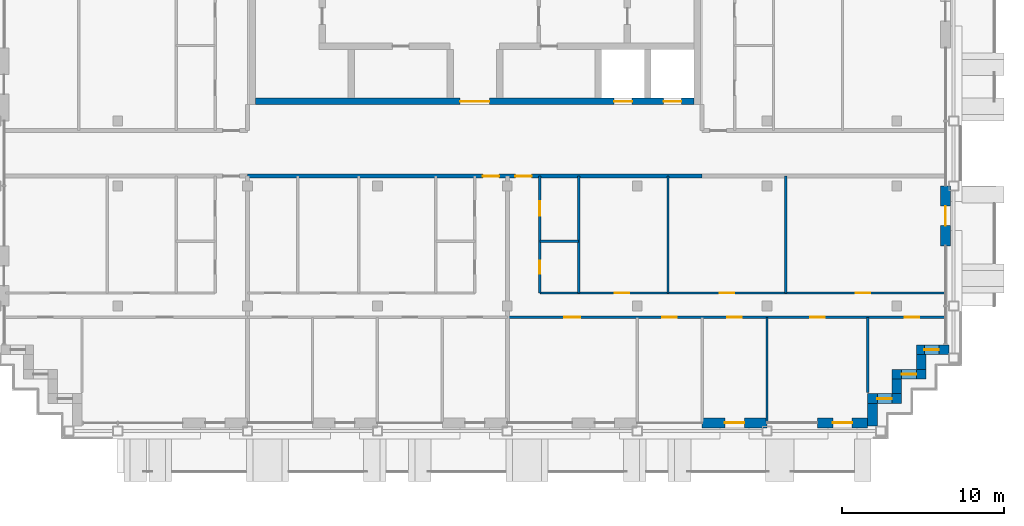
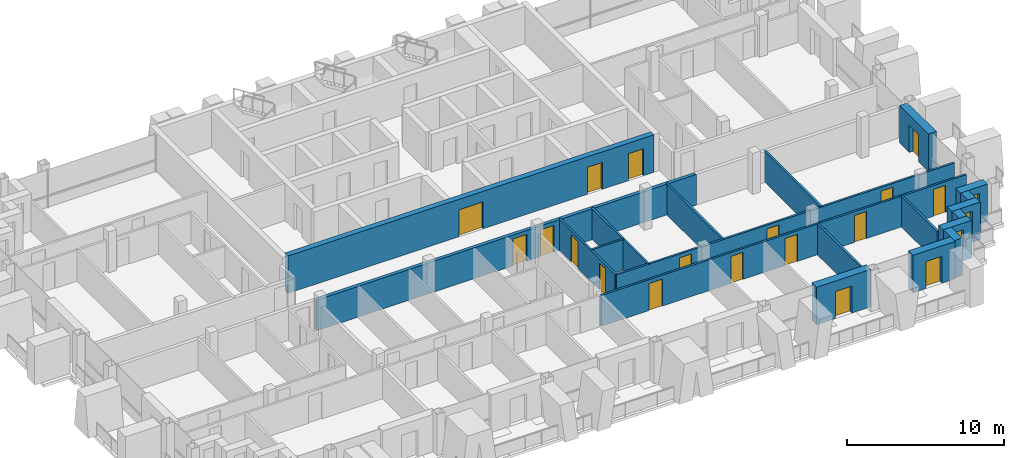
# One storey, part 9 of 15: 20 walls, 18 doors, 3 windows, 21 openings.
"""IFC4 building model written with IfcOpenShell, lengths in metres."""

from ifc_helpers import new_model, si_unit, direction, frame, frame_2d, origin, place, context, subcontext, project, spatial, rectangle, extrude, material, layer, layer_set, type_object, element, fill, save


model = new_model("IFC4")

# Units and contexts
model_context = context("Model", 3, precision=1e-05, world=origin(), true_north=direction((0.0, 1.0)))
body_context = subcontext(model_context, "Body", "Model", "MODEL_VIEW")
ifc_project = project(units=[si_unit("LENGTHUNIT", "METRE"), si_unit("AREAUNIT", "SQUARE_METRE"), si_unit("VOLUMEUNIT", "CUBIC_METRE"), si_unit("PLANEANGLEUNIT", "RADIAN"), si_unit("MASSUNIT", "GRAM", prefix="KILO")], contexts=[model_context])

# Site, building, storey
site_placement = place(None, origin())
site = spatial("IfcSite", under=ifc_project, at=site_placement, CompositionType="ELEMENT")
building_placement = place(site_placement, origin())
building = spatial("IfcBuilding", under=site, at=building_placement, Name="Vidyagriha Tower", CompositionType="ELEMENT")
storey_placement = place(building_placement, frame((0.0, 0.0, 233.199951171875)))
storey = spatial("IfcBuildingStorey", under=building, at=storey_placement, Name="L61", CompositionType="ELEMENT", Elevation=233.199951171875)

# Wall, opening, door
ifc_material_1 = material(Name="Precast concrete C40/50 with brick facing", Category="concrete")
ifc_layer_1 = layer(ifc_material_1, 0.60009765625)
ifc_layer_set_1 = layer_set([ifc_layer_1], Name="Precast concrete C40/50 with brick facing")
wall_type_1 = type_object("IfcWallType", Name="Brick-faced precast wall 600", PredefinedType="STANDARD", material=ifc_layer_set_1)
wall_1_placement = place(storey_placement, frame((14.0, -16.60009765625, 0.0)))
wall_1 = element("IfcWall", 1, at=wall_1_placement, inside=storey, type_object=wall_type_1, Name="Brick door bay wall L61 R23.11", PredefinedType="STANDARD", context=body_context, shape_type="SweptSolid", body=[
    extrude(rectangle(XDim=4.0, YDim=0.60009765625, at=frame_2d((2.0, 0.0))), origin(), (0.0, 0.0, 1.0), 2.920166015625),
])
opening_1_placement = place(wall_1_placement, frame((1.39990234375, 0.0, 0.0)))
opening_1 = element("IfcOpeningElement", 2, at=opening_1_placement, cuts=wall_1, Name="Opening D61-63", PredefinedType="OPENING", context=body_context, shape_type="SweptSolid", body=[
    extrude(rectangle(XDim=1.199951171875, YDim=2.10009765625, at=frame_2d((0.60009765625, 1.050048828125))), frame((0.0, 0.31005859375, 0.0), z_axis=(0.0, -1.0, 0.0), x_axis=(1.0, 0.0, 0.0)), (0.0, 0.0, 1.0), 0.6201171875),
])
ifc_material_2 = material(Name="Aluminium framed glazed sliding door", Category="aluminium")
door_type_1 = type_object("IfcDoorType", Name="Balcony sliding door 1200x2100", OperationType="NOTDEFINED", PredefinedType="DOOR", material=ifc_material_2)
door_1_placement = place(opening_1_placement, origin())
door_1 = element("IfcDoor", 3, at=door_1_placement, inside=storey, type_object=door_type_1, Name="Door D61-63", OperationType="SLIDING_TO_LEFT", OverallHeight=2.10009765625, OverallWidth=1.199951171875, PredefinedType="DOOR", context=body_context, shape_type="SweptSolid", body=[
    extrude(rectangle(XDim=1.199951171875, YDim=2.10009765625, at=frame_2d((0.60009765625, 1.050048828125))), frame((0.0, 0.02490234375, 0.0), z_axis=(0.0, -1.0, 0.0), x_axis=(1.0, 0.0, 0.0)), (0.0, 0.0, 1.0), 0.050048828125),
])
fill(opening_1, door_1)

wall_2_placement = place(storey_placement, frame((21.10009765625, -16.60009765625, 0.0)))
wall_2 = element("IfcWall", 4, at=wall_2_placement, inside=storey, type_object=wall_type_1, Name="Brick door bay wall L61 R23.13", PredefinedType="STANDARD", context=body_context, shape_type="SweptSolid", body=[
    extrude(rectangle(XDim=3.099853515625, YDim=0.60009765625, at=frame_2d((1.5498046875, 0.0))), origin(), (0.0, 0.0, 1.0), 2.920166015625),
])
opening_2_placement = place(wall_2_placement, frame((0.949951171875, 0.0, 0.0)))
opening_2 = element("IfcOpeningElement", 5, at=opening_2_placement, cuts=wall_2, Name="Opening D61-64", PredefinedType="OPENING", context=body_context, shape_type="SweptSolid", body=[
    extrude(rectangle(XDim=1.199951171875, YDim=2.10009765625, at=frame_2d((0.60009765625, 1.050048828125))), frame((0.0, 0.31005859375, 0.0), z_axis=(0.0, -1.0, 0.0), x_axis=(1.0, 0.0, 0.0)), (0.0, 0.0, 1.0), 0.6201171875),
])
door_2_placement = place(opening_2_placement, origin())
door_2 = element("IfcDoor", 6, at=door_2_placement, inside=storey, type_object=door_type_1, Name="Door D61-64", OperationType="SLIDING_TO_LEFT", OverallHeight=2.10009765625, OverallWidth=1.199951171875, PredefinedType="DOOR", context=body_context, shape_type="SweptSolid", body=[
    extrude(rectangle(XDim=1.199951171875, YDim=2.10009765625, at=frame_2d((0.60009765625, 1.050048828125))), frame((0.0, 0.02490234375, 0.0), z_axis=(0.0, -1.0, 0.0), x_axis=(1.0, 0.0, 0.0)), (0.0, 0.0, 1.0), 0.050048828125),
])
fill(opening_2, door_2)

# Wall
wall_3_placement = place(storey_placement, frame((24.5, -16.800048828125, 0.0), z_axis=(0.0, 0.0, 1.0), x_axis=(0.0, 1.0, 0.0)))
element("IfcWall", 7, at=wall_3_placement, inside=storey, type_object=wall_type_1, Name="Stepped corner wall L61 R24", PredefinedType="STANDARD", context=body_context, shape_type="SweptSolid", body=[
    extrude(rectangle(XDim=1.400146484375, YDim=0.60009765625, at=frame_2d((0.7001953125, 0.0))), origin(), (0.0, 0.0, 1.0), 2.920166015625),
])

# Wall, opening, window
wall_4_placement = place(storey_placement, frame((24.199951171875, -15.10009765625, 0.0)))
wall_4 = element("IfcWall", 8, at=wall_4_placement, inside=storey, type_object=wall_type_1, Name="Stepped corner wall L61 R25", PredefinedType="STANDARD", context=body_context, shape_type="SweptSolid", body=[
    extrude(rectangle(XDim=2.10009765625, YDim=0.60009765625, at=frame_2d((1.050048828125, 0.0))), origin(), (0.0, 0.0, 1.0), 2.920166015625),
])
opening_3_placement = place(wall_4_placement, frame((0.60009765625, 0.0, 0.89990234375)))
opening_3 = element("IfcOpeningElement", 9, at=opening_3_placement, cuts=wall_4, Name="Opening WN1", PredefinedType="OPENING", context=body_context, shape_type="SweptSolid", body=[
    extrude(rectangle(XDim=0.89990234375, YDim=1.5, at=frame_2d((0.449951171875, 0.75))), frame((0.0, 0.31005859375, 0.0), z_axis=(0.0, -1.0, 0.0), x_axis=(1.0, 0.0, 0.0)), (0.0, 0.0, 1.0), 0.6201171875),
])
ifc_material_3 = material(Name="Aluminium and glass window", Category="aluminium")
window_type = type_object("IfcWindowType", Name="Reveal window 900x1500", PartitioningType="NOTDEFINED", PredefinedType="WINDOW", material=ifc_material_3)
window_1_placement = place(opening_3_placement, origin())
window_1 = element("IfcWindow", 10, at=window_1_placement, inside=storey, type_object=window_type, Name="Reveal window L61 R25", OverallHeight=1.5, OverallWidth=0.89990234375, PartitioningType="SINGLE_PANEL", PredefinedType="WINDOW", context=body_context, shape_type="SweptSolid", body=[
    extrude(rectangle(XDim=0.89990234375, YDim=1.5, at=frame_2d((0.449951171875, 0.75))), frame((0.0, 0.030029296875, 0.0), z_axis=(0.0, -1.0, 0.0), x_axis=(1.0, 0.0, 0.0)), (0.0, 0.0, 1.0), 0.06005859375),
])
fill(opening_3, window_1)

# Wall
wall_5_placement = place(storey_placement, frame((26.0, -14.800048828125, 0.0), z_axis=(0.0, 0.0, 1.0), x_axis=(0.0, 1.0, 0.0)))
element("IfcWall", 11, at=wall_5_placement, inside=storey, type_object=wall_type_1, Name="Stepped corner wall L61 R26", PredefinedType="STANDARD", context=body_context, shape_type="SweptSolid", body=[
    extrude(rectangle(XDim=0.900146484375, YDim=0.60009765625, at=frame_2d((0.4501953125, 0.0))), origin(), (0.0, 0.0, 1.0), 2.920166015625),
])

# Wall, opening, window
wall_6_placement = place(storey_placement, frame((25.699951171875, -13.60009765625, 0.0)))
wall_6 = element("IfcWall", 12, at=wall_6_placement, inside=storey, type_object=wall_type_1, Name="Stepped corner wall L61 R27", PredefinedType="STANDARD", context=body_context, shape_type="SweptSolid", body=[
    extrude(rectangle(XDim=2.10009765625, YDim=0.60009765625, at=frame_2d((1.050048828125, 0.0))), origin(), (0.0, 0.0, 1.0), 2.920166015625),
])
opening_4_placement = place(wall_6_placement, frame((0.60009765625, 0.0, 0.89990234375)))
opening_4 = element("IfcOpeningElement", 13, at=opening_4_placement, cuts=wall_6, Name="Opening WN1", PredefinedType="OPENING", context=body_context, shape_type="SweptSolid", body=[
    extrude(rectangle(XDim=0.89990234375, YDim=1.5, at=frame_2d((0.449951171875, 0.75))), frame((0.0, 0.31005859375, 0.0), z_axis=(0.0, -1.0, 0.0), x_axis=(1.0, 0.0, 0.0)), (0.0, 0.0, 1.0), 0.6201171875),
])
window_2_placement = place(opening_4_placement, origin())
window_2 = element("IfcWindow", 14, at=window_2_placement, inside=storey, type_object=window_type, Name="Reveal window L61 R27", OverallHeight=1.5, OverallWidth=0.89990234375, PartitioningType="SINGLE_PANEL", PredefinedType="WINDOW", context=body_context, shape_type="SweptSolid", body=[
    extrude(rectangle(XDim=0.89990234375, YDim=1.5, at=frame_2d((0.449951171875, 0.75))), frame((0.0, 0.030029296875, 0.0), z_axis=(0.0, -1.0, 0.0), x_axis=(1.0, 0.0, 0.0)), (0.0, 0.0, 1.0), 0.06005859375),
])
fill(opening_4, window_2)

# Wall
wall_7_placement = place(storey_placement, frame((27.5, -13.300048828125, 0.0), z_axis=(0.0, 0.0, 1.0), x_axis=(0.0, 1.0, 0.0)))
element("IfcWall", 15, at=wall_7_placement, inside=storey, type_object=wall_type_1, Name="Stepped corner wall L61 R28", PredefinedType="STANDARD", context=body_context, shape_type="SweptSolid", body=[
    extrude(rectangle(XDim=0.900146484375, YDim=0.60009765625, at=frame_2d((0.4501953125, 0.0))), origin(), (0.0, 0.0, 1.0), 2.920166015625),
])

# Wall, opening, window
wall_8_placement = place(storey_placement, frame((27.199951171875, -12.10009765625, 0.0)))
wall_8 = element("IfcWall", 16, at=wall_8_placement, inside=storey, type_object=wall_type_1, Name="Stepped corner wall L61 R29", PredefinedType="STANDARD", context=body_context, shape_type="SweptSolid", body=[
    extrude(rectangle(XDim=2.0, YDim=0.60009765625, at=frame_2d((1.0, 0.0))), origin(), (0.0, 0.0, 1.0), 2.920166015625),
])
opening_5_placement = place(wall_8_placement, frame((0.489990234375, 0.0, 0.89990234375)))
opening_5 = element("IfcOpeningElement", 17, at=opening_5_placement, cuts=wall_8, Name="Opening WN1", PredefinedType="OPENING", context=body_context, shape_type="SweptSolid", body=[
    extrude(rectangle(XDim=0.89990234375, YDim=1.5, at=frame_2d((0.449951171875, 0.75))), frame((0.0, 0.31005859375, 0.0), z_axis=(0.0, -1.0, 0.0), x_axis=(1.0, 0.0, 0.0)), (0.0, 0.0, 1.0), 0.6201171875),
])
window_3_placement = place(opening_5_placement, origin())
window_3 = element("IfcWindow", 18, at=window_3_placement, inside=storey, type_object=window_type, Name="Reveal window L61 R29", OverallHeight=1.5, OverallWidth=0.89990234375, PartitioningType="SINGLE_PANEL", PredefinedType="WINDOW", context=body_context, shape_type="SweptSolid", body=[
    extrude(rectangle(XDim=0.89990234375, YDim=1.5, at=frame_2d((0.449951171875, 0.75))), frame((0.0, 0.030029296875, 0.0), z_axis=(0.0, -1.0, 0.0), x_axis=(1.0, 0.0, 0.0)), (0.0, 0.0, 1.0), 0.06005859375),
])
fill(opening_5, window_3)

# Wall, opening, door
wall_9_placement = place(storey_placement, frame((29.0, -5.699951171875, 0.0), z_axis=(0.0, 0.0, 1.0), x_axis=(0.0, 1.0, 0.0)))
wall_9 = element("IfcWall", 19, at=wall_9_placement, inside=storey, type_object=wall_type_1, Name="Brick door bay wall L61 R30.3", PredefinedType="STANDARD", context=body_context, shape_type="SweptSolid", body=[
    extrude(rectangle(XDim=3.699951171875, YDim=0.60009765625, at=frame_2d((1.85009765625, 0.0))), origin(), (0.0, 0.0, 1.0), 2.920166015625),
])
opening_6_placement = place(wall_9_placement, frame((1.25, 0.0, 0.0)))
opening_6 = element("IfcOpeningElement", 20, at=opening_6_placement, cuts=wall_9, Name="Opening D61-65", PredefinedType="OPENING", context=body_context, shape_type="SweptSolid", body=[
    extrude(rectangle(XDim=1.199951171875, YDim=2.10009765625, at=frame_2d((0.60009765625, 1.050048828125))), frame((0.0, 0.31005859375, 0.0), z_axis=(0.0, -1.0, 0.0), x_axis=(1.0, 0.0, 0.0)), (0.0, 0.0, 1.0), 0.6201171875),
])
door_3_placement = place(opening_6_placement, origin())
door_3 = element("IfcDoor", 21, at=door_3_placement, inside=storey, type_object=door_type_1, Name="Door D61-65", OperationType="SLIDING_TO_LEFT", OverallHeight=2.10009765625, OverallWidth=1.199951171875, PredefinedType="DOOR", context=body_context, shape_type="SweptSolid", body=[
    extrude(rectangle(XDim=1.199951171875, YDim=2.10009765625, at=frame_2d((0.60009765625, 1.050048828125))), frame((0.0, 0.02490234375, 0.0), z_axis=(0.0, -1.0, 0.0), x_axis=(1.0, 0.0, 0.0)), (0.0, 0.0, 1.0), 0.050048828125),
])
fill(opening_6, door_3)

# Wall, openings, doors
ifc_material_4 = material(Name="Concrete C60/75", Category="concrete")
ifc_layer_2 = layer(ifc_material_4, 0.39990234375)
ifc_layer_set_2 = layer_set([ifc_layer_2], Name="Concrete C60/75")
wall_type_2 = type_object("IfcWallType", Name="Core shear wall 400 mm", PredefinedType="SHEAR", material=ifc_layer_set_2)
wall_10_placement = place(storey_placement, frame((-13.5, 3.199951171875, 0.0)))
wall_10 = element("IfcWall", 22, at=wall_10_placement, inside=storey, type_object=wall_type_2, Name="Core front wall", PredefinedType="SHEAR", context=body_context, shape_type="SweptSolid", body=[
    extrude(rectangle(XDim=27.0, YDim=0.39990234375, at=frame_2d((13.5, 0.0))), origin(), (0.0, 0.0, 1.0), 2.920166015625),
])
opening_7_placement = place(wall_10_placement, frame((22.083251953125, 0.0, 0.0)))
opening_7 = element("IfcOpeningElement", 23, at=opening_7_placement, cuts=wall_10, Name="Opening LD61-01", PredefinedType="OPENING", context=body_context, shape_type="SweptSolid", body=[
    extrude(rectangle(XDim=1.10009765625, YDim=2.10009765625, at=frame_2d((0.550048828125, 1.050048828125))), frame((0.0, 0.2099609375, 0.0), z_axis=(0.0, -1.0, 0.0), x_axis=(1.0, 0.0, 0.0)), (0.0, 0.0, 1.0), 0.419921875),
])
opening_8_placement = place(wall_10_placement, frame((25.127685546875, 0.0, 0.0)))
opening_8 = element("IfcOpeningElement", 24, at=opening_8_placement, cuts=wall_10, Name="Opening LD61-02", PredefinedType="OPENING", context=body_context, shape_type="SweptSolid", body=[
    extrude(rectangle(XDim=1.10009765625, YDim=2.10009765625, at=frame_2d((0.550048828125, 1.050048828125))), frame((0.0, 0.2099609375, 0.0), z_axis=(0.0, -1.0, 0.0), x_axis=(1.0, 0.0, 0.0)), (0.0, 0.0, 1.0), 0.419921875),
])
opening_9_placement = place(wall_10_placement, frame((12.60009765625, 0.0, 0.0)))
opening_9 = element("IfcOpeningElement", 25, at=opening_9_placement, cuts=wall_10, Name="Opening D61-01", PredefinedType="OPENING", context=body_context, shape_type="SweptSolid", body=[
    extrude(rectangle(XDim=1.800048828125, YDim=2.10009765625, at=frame_2d((0.89990234375, 1.050048828125))), frame((0.0, 0.2099609375, 0.0), z_axis=(0.0, -1.0, 0.0), x_axis=(1.0, 0.0, 0.0)), (0.0, 0.0, 1.0), 0.419921875),
])
ifc_material_5 = material(Name="Hollow metal door leaf")
door_type_2 = type_object("IfcDoorType", Name="Core lobby double door 1800 x 2100 mm EI 60", OperationType="NOTDEFINED", PredefinedType="DOOR", material=ifc_material_5)
door_4_placement = place(opening_9_placement, frame((1.800048828125, 0.0, 0.0), z_axis=(0.0, 0.0, 1.0), x_axis=(-1.0, 0.0, 0.0)))
door_4 = element("IfcDoor", 26, at=door_4_placement, inside=storey, type_object=door_type_2, Name="Core entrance door L61", OperationType="DOUBLE_DOOR_SINGLE_SWING", OverallHeight=2.10009765625, OverallWidth=1.800048828125, PredefinedType="DOOR", context=body_context, shape_type="SweptSolid", body=[
    extrude(rectangle(XDim=1.800048828125, YDim=2.10009765625, at=frame_2d((0.89990234375, 1.050048828125))), frame((0.0, 0.02490234375, 0.0), z_axis=(0.0, -1.0, 0.0), x_axis=(1.0, 0.0, 0.0)), (0.0, 0.0, 1.0), 0.050048828125),
])
fill(opening_9, door_4)
ifc_material_6 = material(Name="Stainless steel sliding door panel", Category="steel")
door_type_3 = type_object("IfcDoorType", Name="Lift landing door 1100 x 2100 mm EI 90", OperationType="NOTDEFINED", PredefinedType="DOOR", material=ifc_material_6)
door_5_placement = place(opening_7_placement, origin())
door_5 = element("IfcDoor", 27, at=door_5_placement, inside=storey, type_object=door_type_3, Name="Landing door MR1 L61", OperationType="SLIDING_TO_LEFT", OverallHeight=2.10009765625, OverallWidth=1.10009765625, PredefinedType="DOOR", context=body_context, shape_type="SweptSolid", body=[
    extrude(rectangle(XDim=1.10009765625, YDim=2.10009765625, at=frame_2d((0.550048828125, 1.050048828125))), frame((0.0, 0.02490234375, 0.0), z_axis=(0.0, -1.0, 0.0), x_axis=(1.0, 0.0, 0.0)), (0.0, 0.0, 1.0), 0.050048828125),
])
fill(opening_7, door_5)
door_6_placement = place(opening_8_placement, origin())
door_6 = element("IfcDoor", 28, at=door_6_placement, inside=storey, type_object=door_type_3, Name="Landing door MR2 L61", OperationType="SLIDING_TO_LEFT", OverallHeight=2.10009765625, OverallWidth=1.10009765625, PredefinedType="DOOR", context=body_context, shape_type="SweptSolid", body=[
    extrude(rectangle(XDim=1.10009765625, YDim=2.10009765625, at=frame_2d((0.550048828125, 1.050048828125))), frame((0.0, 0.02490234375, 0.0), z_axis=(0.0, -1.0, 0.0), x_axis=(1.0, 0.0, 0.0)), (0.0, 0.0, 1.0), 0.050048828125),
])
fill(opening_8, door_6)

ifc_material_7 = material(Name="Fired clay brick masonry", Category="masonry")
ifc_layer_3 = layer(ifc_material_7, 0.25)
ifc_layer_set_3 = layer_set([ifc_layer_3], Name="Fired clay brick masonry")
wall_type_3 = type_object("IfcWallType", Name="Fired clay brick corridor wall 250", PredefinedType="PARTITIONING", material=ifc_layer_set_3)
wall_11_placement = place(storey_placement, frame((14.0, -1.39990234375, 0.0), z_axis=(0.0, 0.0, 1.0), x_axis=(-1.0, 0.0, 0.0)))
wall_11 = element("IfcWall", 29, at=wall_11_placement, inside=storey, type_object=wall_type_3, Name="Wall all-L61-w091", PredefinedType="PARTITIONING", context=body_context, shape_type="SweptSolid", body=[
    extrude(rectangle(XDim=28.0, YDim=0.25, at=frame_2d((14.0, 0.0))), origin(), (0.0, 0.0, 1.0), 2.400146484375),
])
opening_10_placement = place(wall_11_placement, frame((12.5, 0.0, 0.0)))
opening_10 = element("IfcOpeningElement", 30, at=opening_10_placement, cuts=wall_11, Name="Opening D61-31", PredefinedType="OPENING", context=body_context, shape_type="SweptSolid", body=[
    extrude(rectangle(XDim=1.0, YDim=2.10009765625, at=frame_2d((0.5, 1.050048828125))), frame((0.0, 0.135009765625, 0.0), z_axis=(0.0, -1.0, 0.0), x_axis=(1.0, 0.0, 0.0)), (0.0, 0.0, 1.0), 0.27001953125),
])
opening_11_placement = place(wall_11_placement, frame((10.5, 0.0, 0.0)))
opening_11 = element("IfcOpeningElement", 31, at=opening_11_placement, cuts=wall_11, Name="Opening D61-42", PredefinedType="OPENING", context=body_context, shape_type="SweptSolid", body=[
    extrude(rectangle(XDim=1.0, YDim=2.10009765625, at=frame_2d((0.5, 1.050048828125))), frame((0.0, 0.135009765625, 0.0), z_axis=(0.0, -1.0, 0.0), x_axis=(1.0, 0.0, 0.0)), (0.0, 0.0, 1.0), 0.27001953125),
])
ifc_material_8 = material(Name="Fire-rated timber door leaf EI 60", Category="wood")
door_type_4 = type_object("IfcDoorType", Name="Flat entrance fire door 1000x2100", OperationType="NOTDEFINED", PredefinedType="DOOR", material=ifc_material_8)
door_7_placement = place(opening_10_placement, origin())
door_7 = element("IfcDoor", 32, at=door_7_placement, inside=storey, type_object=door_type_4, Name="Door D61-31", OperationType="SINGLE_SWING_LEFT", OverallHeight=2.10009765625, OverallWidth=1.0, PredefinedType="DOOR", context=body_context, shape_type="SweptSolid", body=[
    extrude(rectangle(XDim=1.0, YDim=2.10009765625, at=frame_2d((0.5, 1.050048828125))), frame((0.0, 0.02490234375, 0.0), z_axis=(0.0, -1.0, 0.0), x_axis=(1.0, 0.0, 0.0)), (0.0, 0.0, 1.0), 0.050048828125),
])
fill(opening_10, door_7)
door_8_placement = place(opening_11_placement, origin())
door_8 = element("IfcDoor", 33, at=door_8_placement, inside=storey, type_object=door_type_4, Name="Door D61-42", OperationType="SINGLE_SWING_RIGHT", OverallHeight=2.10009765625, OverallWidth=1.0, PredefinedType="DOOR", context=body_context, shape_type="SweptSolid", body=[
    extrude(rectangle(XDim=1.0, YDim=2.10009765625, at=frame_2d((0.5, 1.050048828125))), frame((0.0, 0.02490234375, 0.0), z_axis=(0.0, -1.0, 0.0), x_axis=(1.0, 0.0, 0.0)), (0.0, 0.0, 1.0), 0.050048828125),
])
fill(opening_11, door_8)

# Walls
ifc_material_9 = material(Name="Gypsum board partition")
ifc_layer_4 = layer(ifc_material_9, 0.14990234375)
ifc_layer_set_4 = layer_set([ifc_layer_4], Name="Gypsum board partition")
wall_type_4 = type_object("IfcWallType", Name="Gypsum board partition 150", PredefinedType="PARTITIONING", material=ifc_layer_set_4)
wall_12_placement = place(storey_placement, frame((6.39990234375, -5.39990234375, 0.0), z_axis=(0.0, 0.0, 1.0), x_axis=(-1.0, 0.0, 0.0)))
element("IfcWall", 34, at=wall_12_placement, inside=storey, type_object=wall_type_4, Name="Wall all-L61-w039", PredefinedType="PARTITIONING", context=body_context, shape_type="SweptSolid", body=[
    extrude(rectangle(XDim=2.39990234375, YDim=0.14990234375, at=frame_2d((1.199951171875, 0.0))), origin(), (0.0, 0.0, 1.0), 2.400146484375),
])
for number, where, z_axis, x_axis, name in (
    (35, (6.39990234375, -1.39990234375, 0.0), (0.0, 0.0, 1.0), (0.0, -1.0, 0.0), "Wall all-L61-w040"),
    (36, (11.89990234375, -1.39990234375, 0.0), (0.0, 0.0, 1.0), (0.0, -1.0, 0.0), "Wall all-L61-w041"),
    (37, (19.14990234375, -1.39990234375, 0.0), (0.0, 0.0, 1.0), (0.0, -1.0, 0.0), "Wall all-L61-w042"),
):
    element("IfcWall", number, at=place(storey_placement, frame(where, z_axis=z_axis, x_axis=x_axis)), inside=storey, type_object=wall_type_4, Name=name, PredefinedType="PARTITIONING", context=body_context, shape_type="SweptSolid", body=[
        extrude(rectangle(XDim=7.2001953125, YDim=0.14990234375, at=frame_2d((3.60009765625, 0.0))), origin(), (0.0, 0.0, 1.0), 2.400146484375),
    ])

# Wall, openings, doors
wall_13_placement = place(storey_placement, frame((4.0, -8.60009765625, 0.0)))
wall_13 = element("IfcWall", 38, at=wall_13_placement, inside=storey, type_object=wall_type_4, Name="Wall all-L61-w043", PredefinedType="PARTITIONING", context=body_context, shape_type="SweptSolid", body=[
    extrude(rectangle(XDim=24.919921875, YDim=0.14990234375, at=frame_2d((12.4599609375, 0.0))), origin(), (0.0, 0.0, 1.0), 2.400146484375),
])
opening_12_placement = place(wall_13_placement, frame((4.6240234375, 0.0, 0.0)))
opening_12 = element("IfcOpeningElement", 39, at=opening_12_placement, cuts=wall_13, Name="Opening D61-34", PredefinedType="OPENING", context=body_context, shape_type="SweptSolid", body=[
    extrude(rectangle(XDim=0.89990234375, YDim=2.10009765625, at=frame_2d((0.449951171875, 1.050048828125))), frame((0.0, 0.0849609375, 0.0), z_axis=(0.0, -1.0, 0.0), x_axis=(1.0, 0.0, 0.0)), (0.0, 0.0, 1.0), 0.169921875),
])
opening_13_placement = place(wall_13_placement, frame((11.074951171875, 0.0, 0.0)))
opening_13 = element("IfcOpeningElement", 40, at=opening_13_placement, cuts=wall_13, Name="Opening D61-35", PredefinedType="OPENING", context=body_context, shape_type="SweptSolid", body=[
    extrude(rectangle(XDim=0.89990234375, YDim=2.10009765625, at=frame_2d((0.449951171875, 1.050048828125))), frame((0.0, 0.0849609375, 0.0), z_axis=(0.0, -1.0, 0.0), x_axis=(1.0, 0.0, 0.0)), (0.0, 0.0, 1.0), 0.169921875),
])
opening_14_placement = place(wall_13_placement, frame((19.47509765625, 0.0, 0.0)))
opening_14 = element("IfcOpeningElement", 41, at=opening_14_placement, cuts=wall_13, Name="Opening D61-36", PredefinedType="OPENING", context=body_context, shape_type="SweptSolid", body=[
    extrude(rectangle(XDim=0.89990234375, YDim=2.10009765625, at=frame_2d((0.449951171875, 1.050048828125))), frame((0.0, 0.0849609375, 0.0), z_axis=(0.0, -1.0, 0.0), x_axis=(1.0, 0.0, 0.0)), (0.0, 0.0, 1.0), 0.169921875),
])
ifc_material_10 = material(Name="Timber door leaf", Category="wood")
door_type_5 = type_object("IfcDoorType", Name="Room door 900x2100", OperationType="NOTDEFINED", PredefinedType="DOOR", material=ifc_material_10)
door_9_placement = place(opening_12_placement, origin())
door_9 = element("IfcDoor", 42, at=door_9_placement, inside=storey, type_object=door_type_5, Name="Door D61-34", OperationType="SINGLE_SWING_LEFT", OverallHeight=2.10009765625, OverallWidth=0.89990234375, PredefinedType="DOOR", context=body_context, shape_type="SweptSolid", body=[
    extrude(rectangle(XDim=0.89990234375, YDim=2.10009765625, at=frame_2d((0.449951171875, 1.050048828125))), frame((0.0, 0.02490234375, 0.0), z_axis=(0.0, -1.0, 0.0), x_axis=(1.0, 0.0, 0.0)), (0.0, 0.0, 1.0), 0.050048828125),
])
fill(opening_12, door_9)
door_10_placement = place(opening_13_placement, origin())
door_10 = element("IfcDoor", 43, at=door_10_placement, inside=storey, type_object=door_type_5, Name="Door D61-35", OperationType="SINGLE_SWING_RIGHT", OverallHeight=2.10009765625, OverallWidth=0.89990234375, PredefinedType="DOOR", context=body_context, shape_type="SweptSolid", body=[
    extrude(rectangle(XDim=0.89990234375, YDim=2.10009765625, at=frame_2d((0.449951171875, 1.050048828125))), frame((0.0, 0.02490234375, 0.0), z_axis=(0.0, -1.0, 0.0), x_axis=(1.0, 0.0, 0.0)), (0.0, 0.0, 1.0), 0.050048828125),
])
fill(opening_13, door_10)
door_11_placement = place(opening_14_placement, origin())
door_11 = element("IfcDoor", 44, at=door_11_placement, inside=storey, type_object=door_type_5, Name="Door D61-36", OperationType="SINGLE_SWING_RIGHT", OverallHeight=2.10009765625, OverallWidth=0.89990234375, PredefinedType="DOOR", context=body_context, shape_type="SweptSolid", body=[
    extrude(rectangle(XDim=0.89990234375, YDim=2.10009765625, at=frame_2d((0.449951171875, 1.050048828125))), frame((0.0, 0.02490234375, 0.0), z_axis=(0.0, -1.0, 0.0), x_axis=(1.0, 0.0, 0.0)), (0.0, 0.0, 1.0), 0.050048828125),
])
fill(opening_14, door_11)

wall_14_placement = place(storey_placement, frame((28.919921875, -10.10009765625, 0.0), z_axis=(0.0, 0.0, 1.0), x_axis=(-1.0, 0.0, 0.0)))
wall_14 = element("IfcWall", 45, at=wall_14_placement, inside=storey, type_object=wall_type_4, Name="Wall all-L61-w047", PredefinedType="PARTITIONING", context=body_context, shape_type="SweptSolid", body=[
    extrude(rectangle(XDim=26.919921875, YDim=0.14990234375, at=frame_2d((13.4599609375, 0.0))), origin(), (0.0, 0.0, 1.0), 2.400146484375),
])
opening_15_placement = place(wall_14_placement, frame((22.419921875, 0.0, 0.0)))
opening_15 = element("IfcOpeningElement", 46, at=opening_15_placement, cuts=wall_14, Name="Opening D61-37", PredefinedType="OPENING", context=body_context, shape_type="SweptSolid", body=[
    extrude(rectangle(XDim=1.0, YDim=2.10009765625, at=frame_2d((0.5, 1.050048828125))), frame((0.0, 0.0849609375, 0.0), z_axis=(0.0, -1.0, 0.0), x_axis=(1.0, 0.0, 0.0)), (0.0, 0.0, 1.0), 0.169921875),
])
opening_16_placement = place(wall_14_placement, frame((16.469970703125, 0.0, 0.0)))
opening_16 = element("IfcOpeningElement", 47, at=opening_16_placement, cuts=wall_14, Name="Opening D61-38", PredefinedType="OPENING", context=body_context, shape_type="SweptSolid", body=[
    extrude(rectangle(XDim=0.89990234375, YDim=2.10009765625, at=frame_2d((0.449951171875, 1.050048828125))), frame((0.0, 0.0849609375, 0.0), z_axis=(0.0, -1.0, 0.0), x_axis=(1.0, 0.0, 0.0)), (0.0, 0.0, 1.0), 0.169921875),
])
opening_17_placement = place(wall_14_placement, frame((12.469970703125, 0.0, 0.0)))
opening_17 = element("IfcOpeningElement", 48, at=opening_17_placement, cuts=wall_14, Name="Opening D61-39", PredefinedType="OPENING", context=body_context, shape_type="SweptSolid", body=[
    extrude(rectangle(XDim=0.89990234375, YDim=2.10009765625, at=frame_2d((0.449951171875, 1.050048828125))), frame((0.0, 0.0849609375, 0.0), z_axis=(0.0, -1.0, 0.0), x_axis=(1.0, 0.0, 0.0)), (0.0, 0.0, 1.0), 0.169921875),
])
opening_18_placement = place(wall_14_placement, frame((7.3701171875, 0.0, 0.0)))
opening_18 = element("IfcOpeningElement", 49, at=opening_18_placement, cuts=wall_14, Name="Opening D61-40", PredefinedType="OPENING", context=body_context, shape_type="SweptSolid", body=[
    extrude(rectangle(XDim=0.89990234375, YDim=2.10009765625, at=frame_2d((0.449951171875, 1.050048828125))), frame((0.0, 0.0849609375, 0.0), z_axis=(0.0, -1.0, 0.0), x_axis=(1.0, 0.0, 0.0)), (0.0, 0.0, 1.0), 0.169921875),
])
opening_19_placement = place(wall_14_placement, frame((1.5439453125, 0.0, 0.0)))
opening_19 = element("IfcOpeningElement", 50, at=opening_19_placement, cuts=wall_14, Name="Opening D61-41", PredefinedType="OPENING", context=body_context, shape_type="SweptSolid", body=[
    extrude(rectangle(XDim=0.89990234375, YDim=2.10009765625, at=frame_2d((0.449951171875, 1.050048828125))), frame((0.0, 0.0849609375, 0.0), z_axis=(0.0, -1.0, 0.0), x_axis=(1.0, 0.0, 0.0)), (0.0, 0.0, 1.0), 0.169921875),
])
ifc_material_11 = material(Name="Timber door leaf", Category="wood")
door_type_6 = type_object("IfcDoorType", Name="Room door 1000x2100", OperationType="NOTDEFINED", PredefinedType="DOOR", material=ifc_material_11)
door_12_placement = place(opening_15_placement, origin())
door_12 = element("IfcDoor", 51, at=door_12_placement, inside=storey, type_object=door_type_6, Name="Door D61-37", OperationType="SINGLE_SWING_RIGHT", OverallHeight=2.10009765625, OverallWidth=1.0, PredefinedType="DOOR", context=body_context, shape_type="SweptSolid", body=[
    extrude(rectangle(XDim=1.0, YDim=2.10009765625, at=frame_2d((0.5, 1.050048828125))), frame((0.0, 0.02490234375, 0.0), z_axis=(0.0, -1.0, 0.0), x_axis=(1.0, 0.0, 0.0)), (0.0, 0.0, 1.0), 0.050048828125),
])
fill(opening_15, door_12)
door_13_placement = place(opening_16_placement, origin())
door_13 = element("IfcDoor", 52, at=door_13_placement, inside=storey, type_object=door_type_5, Name="Door D61-38", OperationType="SINGLE_SWING_RIGHT", OverallHeight=2.10009765625, OverallWidth=0.89990234375, PredefinedType="DOOR", context=body_context, shape_type="SweptSolid", body=[
    extrude(rectangle(XDim=0.89990234375, YDim=2.10009765625, at=frame_2d((0.449951171875, 1.050048828125))), frame((0.0, 0.02490234375, 0.0), z_axis=(0.0, -1.0, 0.0), x_axis=(1.0, 0.0, 0.0)), (0.0, 0.0, 1.0), 0.050048828125),
])
fill(opening_16, door_13)
door_14_placement = place(opening_17_placement, origin())
door_14 = element("IfcDoor", 53, at=door_14_placement, inside=storey, type_object=door_type_5, Name="Door D61-39", OperationType="SINGLE_SWING_RIGHT", OverallHeight=2.10009765625, OverallWidth=0.89990234375, PredefinedType="DOOR", context=body_context, shape_type="SweptSolid", body=[
    extrude(rectangle(XDim=0.89990234375, YDim=2.10009765625, at=frame_2d((0.449951171875, 1.050048828125))), frame((0.0, 0.02490234375, 0.0), z_axis=(0.0, -1.0, 0.0), x_axis=(1.0, 0.0, 0.0)), (0.0, 0.0, 1.0), 0.050048828125),
])
fill(opening_17, door_14)
door_15_placement = place(opening_18_placement, origin())
door_15 = element("IfcDoor", 54, at=door_15_placement, inside=storey, type_object=door_type_5, Name="Door D61-40", OperationType="SINGLE_SWING_LEFT", OverallHeight=2.10009765625, OverallWidth=0.89990234375, PredefinedType="DOOR", context=body_context, shape_type="SweptSolid", body=[
    extrude(rectangle(XDim=0.89990234375, YDim=2.10009765625, at=frame_2d((0.449951171875, 1.050048828125))), frame((0.0, 0.02490234375, 0.0), z_axis=(0.0, -1.0, 0.0), x_axis=(1.0, 0.0, 0.0)), (0.0, 0.0, 1.0), 0.050048828125),
])
fill(opening_18, door_15)
door_16_placement = place(opening_19_placement, origin())
door_16 = element("IfcDoor", 55, at=door_16_placement, inside=storey, type_object=door_type_5, Name="Door D61-41", OperationType="SINGLE_SWING_LEFT", OverallHeight=2.10009765625, OverallWidth=0.89990234375, PredefinedType="DOOR", context=body_context, shape_type="SweptSolid", body=[
    extrude(rectangle(XDim=0.89990234375, YDim=2.10009765625, at=frame_2d((0.449951171875, 1.050048828125))), frame((0.0, 0.02490234375, 0.0), z_axis=(0.0, -1.0, 0.0), x_axis=(1.0, 0.0, 0.0)), (0.0, 0.0, 1.0), 0.050048828125),
])
fill(opening_19, door_16)

# Walls
wall_15_placement = place(storey_placement, frame((18.0, -10.10009765625, 0.0), z_axis=(0.0, 0.0, 1.0), x_axis=(0.0, -1.0, 0.0)))
element("IfcWall", 56, at=wall_15_placement, inside=storey, type_object=wall_type_4, Name="Wall all-L61-w055", PredefinedType="PARTITIONING", context=body_context, shape_type="SweptSolid", body=[
    extrude(rectangle(XDim=6.409912109375, YDim=0.14990234375, at=frame_2d((3.205078125, 0.0))), origin(), (0.0, 0.0, 1.0), 2.400146484375),
])
wall_16_placement = place(storey_placement, frame((24.199951171875, -10.10009765625, 0.0), z_axis=(0.0, 0.0, 1.0), x_axis=(0.0, -1.0, 0.0)))
element("IfcWall", 57, at=wall_16_placement, inside=storey, type_object=wall_type_4, Name="Wall all-L61-w056", PredefinedType="PARTITIONING", context=body_context, shape_type="SweptSolid", body=[
    extrude(rectangle(XDim=4.619873046875, YDim=0.14990234375, at=frame_2d((2.31005859375, 0.0))), origin(), (0.0, 0.0, 1.0), 2.400146484375),
])

# Wall, openings, doors
ifc_material_12 = material(Name="Moisture resistant gypsum board partition")
ifc_layer_5 = layer(ifc_material_12, 0.14990234375)
ifc_layer_set_5 = layer_set([ifc_layer_5], Name="Moisture resistant gypsum board partition")
wall_type_5 = type_object("IfcWallType", Name="Gypsum board wet-area partition 150", PredefinedType="PARTITIONING", material=ifc_layer_set_5)
wall_17_placement = place(storey_placement, frame((4.0, -1.39990234375, 0.0), z_axis=(0.0, 0.0, 1.0), x_axis=(0.0, -1.0, 0.0)))
wall_17 = element("IfcWall", 58, at=wall_17_placement, inside=storey, type_object=wall_type_5, Name="Wall all-L61-w036", PredefinedType="PARTITIONING", context=body_context, shape_type="SweptSolid", body=[
    extrude(rectangle(XDim=7.2001953125, YDim=0.14990234375, at=frame_2d((3.60009765625, 0.0))), origin(), (0.0, 0.0, 1.0), 2.400146484375),
])
opening_20_placement = place(wall_17_placement, frame((1.550048828125, 0.0, 0.0)))
opening_20 = element("IfcOpeningElement", 59, at=opening_20_placement, cuts=wall_17, Name="Opening D61-32", PredefinedType="OPENING", context=body_context, shape_type="SweptSolid", body=[
    extrude(rectangle(XDim=0.89990234375, YDim=2.10009765625, at=frame_2d((0.449951171875, 1.050048828125))), frame((0.0, 0.0849609375, 0.0), z_axis=(0.0, -1.0, 0.0), x_axis=(1.0, 0.0, 0.0)), (0.0, 0.0, 1.0), 0.169921875),
])
opening_21_placement = place(wall_17_placement, frame((5.199951171875, 0.0, 0.0)))
opening_21 = element("IfcOpeningElement", 60, at=opening_21_placement, cuts=wall_17, Name="Opening D61-33", PredefinedType="OPENING", context=body_context, shape_type="SweptSolid", body=[
    extrude(rectangle(XDim=0.800048828125, YDim=2.10009765625, at=frame_2d((0.39990234375, 1.050048828125))), frame((0.0, 0.0849609375, 0.0), z_axis=(0.0, -1.0, 0.0), x_axis=(1.0, 0.0, 0.0)), (0.0, 0.0, 1.0), 0.169921875),
])
ifc_material_13 = material(Name="Timber door leaf", Category="wood")
door_type_7 = type_object("IfcDoorType", Name="Bathroom door 800x2100", OperationType="NOTDEFINED", PredefinedType="DOOR", material=ifc_material_13)
door_17_placement = place(opening_21_placement, origin())
door_17 = element("IfcDoor", 61, at=door_17_placement, inside=storey, type_object=door_type_7, Name="Door D61-33", OperationType="SINGLE_SWING_RIGHT", OverallHeight=2.10009765625, OverallWidth=0.800048828125, PredefinedType="DOOR", context=body_context, shape_type="SweptSolid", body=[
    extrude(rectangle(XDim=0.800048828125, YDim=2.10009765625, at=frame_2d((0.39990234375, 1.050048828125))), frame((0.0, 0.02490234375, 0.0), z_axis=(0.0, -1.0, 0.0), x_axis=(1.0, 0.0, 0.0)), (0.0, 0.0, 1.0), 0.050048828125),
])
fill(opening_21, door_17)
ifc_material_14 = material(Name="Timber door leaf", Category="wood")
door_type_8 = type_object("IfcDoorType", Name="Kitchen door 900x2100", OperationType="NOTDEFINED", PredefinedType="DOOR", material=ifc_material_14)
door_18_placement = place(opening_20_placement, origin())
door_18 = element("IfcDoor", 62, at=door_18_placement, inside=storey, type_object=door_type_8, Name="Door D61-32", OperationType="SINGLE_SWING_LEFT", OverallHeight=2.10009765625, OverallWidth=0.89990234375, PredefinedType="DOOR", context=body_context, shape_type="SweptSolid", body=[
    extrude(rectangle(XDim=0.89990234375, YDim=2.10009765625, at=frame_2d((0.449951171875, 1.050048828125))), frame((0.0, 0.02490234375, 0.0), z_axis=(0.0, -1.0, 0.0), x_axis=(1.0, 0.0, 0.0)), (0.0, 0.0, 1.0), 0.050048828125),
])
fill(opening_20, door_18)

save(model, "model.ifc")
